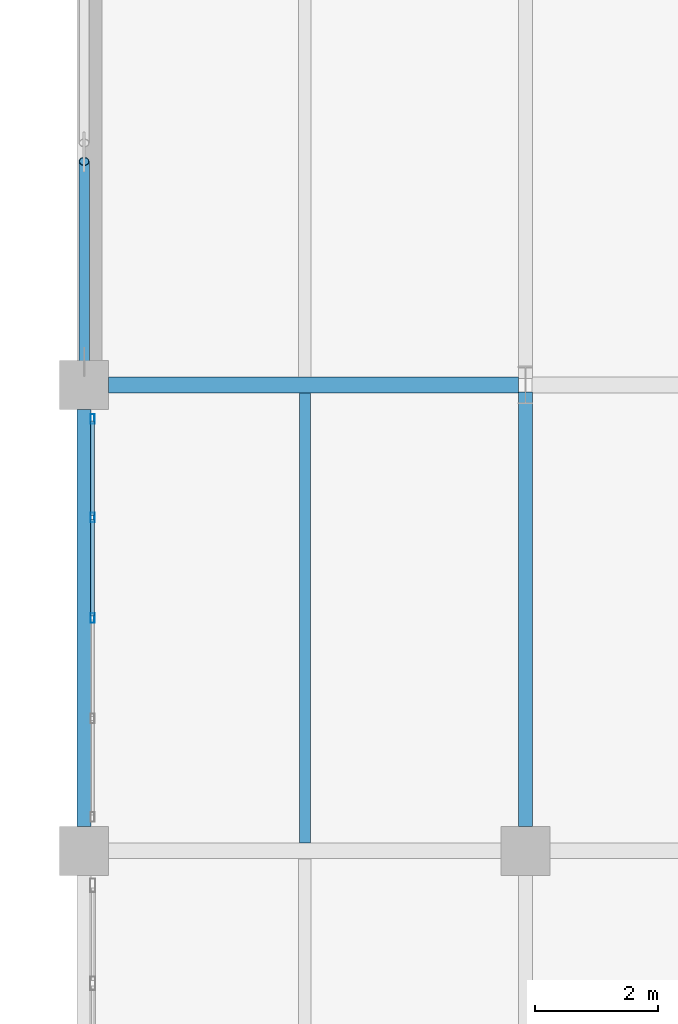
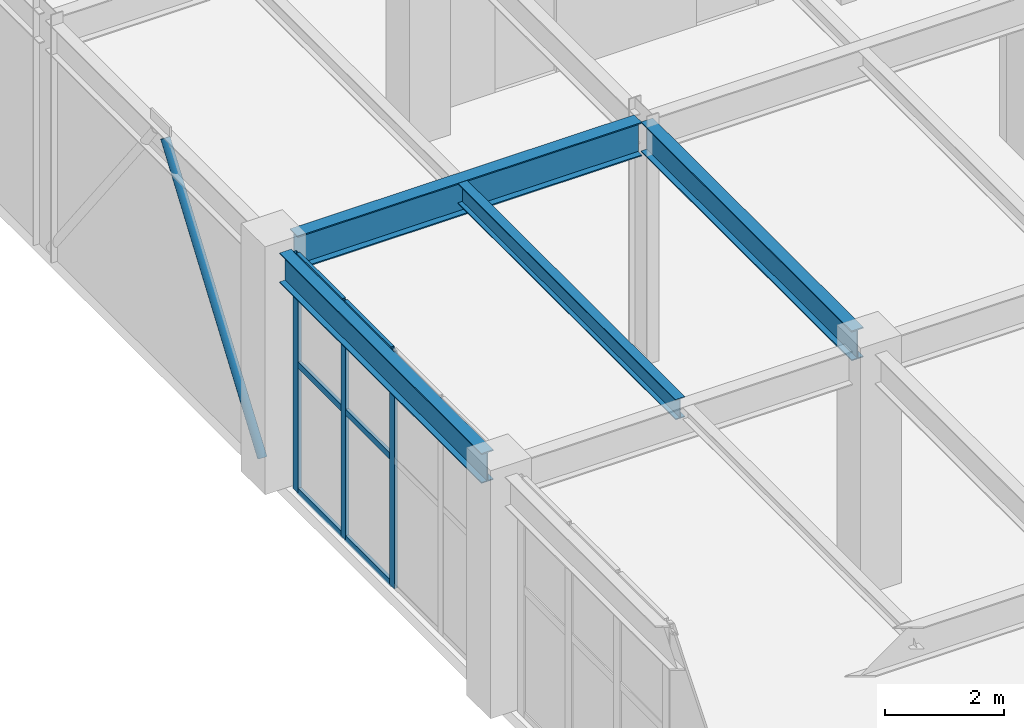
# One storey, part 21 of 128: 10 members, 4 beams, 1 element without a shape of its own.
"""IFC4 building model written with IfcOpenShell, lengths in metres."""

from ifc_helpers import new_model, si_unit, direction, frame, origin, origin_2d, place, context, subcontext, project, spatial, hollow_rectangle, hollow_circle, i_section, extrude, material, layer, layer_set, material_profile, profile_set, type_object, element, aggregate, save


model = new_model("IFC4")

# Units and contexts
model_context = context("Model", 3, precision=1e-05, world=origin(), true_north=direction((0.0, 1.0)))
body_context = subcontext(model_context, "Body", "Model", "MODEL_VIEW")
ifc_project = project(units=[si_unit("LENGTHUNIT", "METRE"), si_unit("AREAUNIT", "SQUARE_METRE"), si_unit("VOLUMEUNIT", "CUBIC_METRE"), si_unit("PLANEANGLEUNIT", "RADIAN"), si_unit("MASSUNIT", "GRAM", prefix="KILO")], contexts=[model_context])

# Site, building, storey
site_placement = place(None, origin())
site = spatial("IfcSite", under=ifc_project, at=site_placement, CompositionType="ELEMENT")
building_placement = place(site_placement, origin())
building = spatial("IfcBuilding", under=site, at=building_placement, Name="Xicomal Pleat Aquarium", CompositionType="ELEMENT")
storey_placement = place(building_placement, frame((0.0, 0.0, 5.39990234375)))
storey = spatial("IfcBuildingStorey", under=building, at=storey_placement, Name="L02", CompositionType="ELEMENT", Elevation=5.39990234375)

# Beams
ifc_material_1 = material(Name="Structural steel A992 Gr 50", Category="steel")
ifc_material_profile_1 = material_profile(ifc_material_1, i_section(OverallWidth=0.180908203125, OverallDepth=0.4169921875, WebThickness=0.010986328125, FlangeThickness=0.018310546875, at=origin_2d()), Name="IR 410x85")
ifc_profile_set_1 = profile_set([ifc_material_profile_1], Name="Structural steel A992 Gr 50")
beam_type_1 = type_object("IfcBeamType", Name="BM-STL-IR410", PredefinedType="JOIST", material=ifc_profile_set_1)
beam_1_placement = place(storey_placement, frame((6.60009765625, 45.73095703125, 4.66650390625), z_axis=(0.0, 1.0, 0.0), x_axis=(-1.0, 0.0, 0.0)))
element("IfcBeam", 1, at=beam_1_placement, inside=storey, type_object=beam_type_1, Name="L02 framing beam FBJ-L02-01-G-1", PredefinedType="JOIST", context=body_context, shape_type="SweptSolid", body=[
    extrude(i_section(OverallWidth=0.180908203125, OverallDepth=0.4169921875, WebThickness=0.010986328125, FlangeThickness=0.018310546875, at=origin_2d()), origin(), (0.0, 0.0, 1.0), 7.338134765625),
])
ifc_material_2 = material(Name="Structural steel A992 Gr 50", Category="steel")
ifc_material_profile_2 = material_profile(ifc_material_2, i_section(OverallWidth=0.22998046875, OverallDepth=0.616943359375, WebThickness=0.01318359375, FlangeThickness=0.022216796875, at=origin_2d()), Name="IR 610x140")
ifc_profile_set_2 = profile_set([ifc_material_profile_2], Name="Structural steel A992 Gr 50")
beam_type_2 = type_object("IfcBeamType", Name="BM-STL-IR610", PredefinedType="BEAM", material=ifc_profile_set_2)
beam_2_placement = place(storey_placement, frame((3.0, 45.9951171875, 4.566650390625), z_axis=(0.0, 1.0, 0.0), x_axis=(-1.0, 0.0, 0.0)))
element("IfcBeam", 2, at=beam_2_placement, inside=storey, type_object=beam_type_2, Name="L02 framing beam FGY-L02-01-G-H", PredefinedType="BEAM", context=body_context, shape_type="SweptSolid", body=[
    extrude(i_section(OverallWidth=0.22998046875, OverallDepth=0.616943359375, WebThickness=0.01318359375, FlangeThickness=0.022216796875, at=origin_2d()), origin(), (0.0, 0.0, 1.0), 6.809814453125),
])
beam_3_placement = place(storey_placement, frame((10.199951171875, 45.9951171875, 4.566650390625), z_axis=(0.0, 1.0, 0.0), x_axis=(-1.0, 0.0, 0.0)))
element("IfcBeam", 3, at=beam_3_placement, inside=storey, type_object=beam_type_2, Name="L02 framing beam FGY-L02-02-G-H", PredefinedType="BEAM", context=body_context, shape_type="SweptSolid", body=[
    extrude(i_section(OverallWidth=0.22998046875, OverallDepth=0.616943359375, WebThickness=0.01318359375, FlangeThickness=0.022216796875, at=origin_2d()), origin(), (0.0, 0.0, 1.0), 7.094970703125),
])
ifc_material_3 = material(Name="Structural steel A992 Gr 50", Category="steel")
ifc_material_profile_3 = material_profile(ifc_material_3, i_section(OverallWidth=0.256103515625, OverallDepth=0.693115234375, WebThickness=0.014404296875, FlangeThickness=0.023681640625, at=origin_2d()), Name="IR 690x170")
ifc_profile_set_3 = profile_set([ifc_material_profile_3], Name="Structural steel A992 Gr 50")
beam_type_3 = type_object("IfcBeamType", Name="BM-STL-IR690", PredefinedType="BEAM", material=ifc_profile_set_3)
beam_4_placement = place(storey_placement, frame((3.39501953125, 53.199951171875, 4.528564453125), z_axis=(1.0, 0.0, 0.0), x_axis=(0.0, 1.0, 0.0)))
element("IfcBeam", 4, at=beam_4_placement, inside=storey, type_object=beam_type_3, Name="L02 framing beam FGX-L02-01-02-H", PredefinedType="BEAM", context=body_context, shape_type="SweptSolid", body=[
    extrude(i_section(OverallWidth=0.256103515625, OverallDepth=0.693115234375, WebThickness=0.014404296875, FlangeThickness=0.023681640625, at=origin_2d()), origin(), (0.0, 0.0, 1.0), 6.695068359375),
])

# Curtain wall, members
ifc_material_4 = material(Name="Bronze anodized aluminium 6063-T6", Category="aluminium")
ifc_layer = layer(ifc_material_4, 0.159912109375)
ifc_layer_set = layer_set([ifc_layer], Name="Bronze anodized aluminium 6063-T6")
curtain_wall_type = type_object("IfcCurtainWallType", Name="CW-SYS-02", PredefinedType="NOTDEFINED", material=ifc_layer_set)
curtain_wall_placement = place(storey_placement, origin())
curtain_wall = element("IfcCurtainWall", 5, at=curtain_wall_placement, inside=storey, type_object=curtain_wall_type, Name="L02 unitised curtain wall CW-L02-123", PredefinedType="NOTDEFINED")
ifc_material_5 = material(Name="Bronze anodized aluminium 6063-T6", Category="aluminium")
ifc_material_profile_4 = material_profile(ifc_material_5, hollow_rectangle(XDim=0.06494140625, YDim=0.159912109375, WallThickness=0.00390625, at=origin_2d()), Name="ALU MULL 65x160")
ifc_profile_set_4 = profile_set([ifc_material_profile_4], Name="Bronze anodized aluminium 6063-T6")
member_type_1 = type_object("IfcMemberType", Name="CWM-65x160", PredefinedType="MULLION", material=ifc_profile_set_4)
member_1_placement = place(storey_placement, frame((3.139892578125, 49.39990234375, 0.0), z_axis=(0.0, 0.0, 1.0), x_axis=(-1.0, 0.0, 0.0)))
member_1 = element("IfcMember", 6, at=member_1_placement, type_object=member_type_1, Name="CW-02 mullion 3", PredefinedType="MULLION", context=body_context, shape_type="SweptSolid", body=[
    extrude(hollow_rectangle(XDim=0.06494140625, YDim=0.159912109375, WallThickness=0.00390625, at=origin_2d()), origin(), (0.0, 0.0, 1.0), 4.875),
])
member_2_placement = place(storey_placement, frame((3.139892578125, 51.0400390625, 0.0), z_axis=(0.0, 0.0, 1.0), x_axis=(-1.0, 0.0, 0.0)))
member_2 = element("IfcMember", 7, at=member_2_placement, type_object=member_type_1, Name="CW-02 mullion 4", PredefinedType="MULLION", context=body_context, shape_type="SweptSolid", body=[
    extrude(hollow_rectangle(XDim=0.06494140625, YDim=0.159912109375, WallThickness=0.00390625, at=origin_2d()), origin(), (0.0, 0.0, 1.0), 4.875),
])
member_3_placement = place(storey_placement, frame((3.139892578125, 52.6474609375, 0.0), z_axis=(0.0, 0.0, 1.0), x_axis=(-1.0, 0.0, 0.0)))
member_3 = element("IfcMember", 8, at=member_3_placement, type_object=member_type_1, Name="CW-02 mullion 5", PredefinedType="MULLION", context=body_context, shape_type="SweptSolid", body=[
    extrude(hollow_rectangle(XDim=0.06494140625, YDim=0.159912109375, WallThickness=0.00390625, at=origin_2d()), origin(), (0.0, 0.0, 1.0), 4.875),
])
ifc_material_6 = material(Name="Bronze anodized aluminium 6063-T6", Category="aluminium")
ifc_material_profile_5 = material_profile(ifc_material_6, hollow_rectangle(XDim=0.06494140625, YDim=0.1298828125, WallThickness=0.00390625, at=origin_2d()), Name="ALU TRAN 65x130")
ifc_profile_set_5 = profile_set([ifc_material_profile_5], Name="Bronze anodized aluminium 6063-T6")
member_type_2 = type_object("IfcMemberType", Name="CWT-65x130", PredefinedType="USERDEFINED", material=ifc_profile_set_5)
member_4_placement = place(storey_placement, frame((3.139892578125, 49.4326171875, 0.03271484375), z_axis=(0.0, 1.0, 0.0), x_axis=(-1.0, 0.0, 0.0)))
member_4 = element("IfcMember", 9, at=member_4_placement, type_object=member_type_2, Name="CW-02 transom 3.1", ObjectType="TRANSOM", PredefinedType="USERDEFINED", context=body_context, shape_type="SweptSolid", body=[
    extrude(hollow_rectangle(XDim=0.06494140625, YDim=0.1298828125, WallThickness=0.00390625, at=origin_2d()), origin(), (0.0, 0.0, 1.0), 1.574951171875),
])
member_5_placement = place(storey_placement, frame((3.139892578125, 49.4326171875, 2.633056640625), z_axis=(0.0, 1.0, 0.0), x_axis=(-1.0, 0.0, 0.0)))
member_5 = element("IfcMember", 10, at=member_5_placement, type_object=member_type_2, Name="CW-02 transom 3.2", ObjectType="TRANSOM", PredefinedType="USERDEFINED", context=body_context, shape_type="SweptSolid", body=[
    extrude(hollow_rectangle(XDim=0.06494140625, YDim=0.1298828125, WallThickness=0.00390625, at=origin_2d()), origin(), (0.0, 0.0, 1.0), 1.574951171875),
])
member_6_placement = place(storey_placement, frame((3.139892578125, 49.4326171875, 4.842529296875), z_axis=(0.0, 1.0, 0.0), x_axis=(-1.0, 0.0, 0.0)))
member_6 = element("IfcMember", 11, at=member_6_placement, type_object=member_type_2, Name="CW-02 transom 3.3", ObjectType="TRANSOM", PredefinedType="USERDEFINED", context=body_context, shape_type="SweptSolid", body=[
    extrude(hollow_rectangle(XDim=0.06494140625, YDim=0.1298828125, WallThickness=0.00390625, at=origin_2d()), origin(), (0.0, 0.0, 1.0), 1.574951171875),
])
member_7_placement = place(storey_placement, frame((3.139892578125, 51.072509765625, 0.03271484375), z_axis=(0.0, 1.0, 0.0), x_axis=(-1.0, 0.0, 0.0)))
member_7 = element("IfcMember", 12, at=member_7_placement, type_object=member_type_2, Name="CW-02 transom 4.1", ObjectType="TRANSOM", PredefinedType="USERDEFINED", context=body_context, shape_type="SweptSolid", body=[
    extrude(hollow_rectangle(XDim=0.06494140625, YDim=0.1298828125, WallThickness=0.00390625, at=origin_2d()), origin(), (0.0, 0.0, 1.0), 1.54248046875),
])
member_8_placement = place(storey_placement, frame((3.139892578125, 51.072509765625, 2.633056640625), z_axis=(0.0, 1.0, 0.0), x_axis=(-1.0, 0.0, 0.0)))
member_8 = element("IfcMember", 13, at=member_8_placement, type_object=member_type_2, Name="CW-02 transom 4.2", ObjectType="TRANSOM", PredefinedType="USERDEFINED", context=body_context, shape_type="SweptSolid", body=[
    extrude(hollow_rectangle(XDim=0.06494140625, YDim=0.1298828125, WallThickness=0.00390625, at=origin_2d()), origin(), (0.0, 0.0, 1.0), 1.54248046875),
])
member_9_placement = place(storey_placement, frame((3.139892578125, 51.072509765625, 4.842529296875), z_axis=(0.0, 1.0, 0.0), x_axis=(-1.0, 0.0, 0.0)))
member_9 = element("IfcMember", 14, at=member_9_placement, type_object=member_type_2, Name="CW-02 transom 4.3", ObjectType="TRANSOM", PredefinedType="USERDEFINED", context=body_context, shape_type="SweptSolid", body=[
    extrude(hollow_rectangle(XDim=0.06494140625, YDim=0.1298828125, WallThickness=0.00390625, at=origin_2d()), origin(), (0.0, 0.0, 1.0), 1.54248046875),
])
aggregate(curtain_wall, [member_1, member_2, member_3, member_4, member_5, member_6, member_7, member_8, member_9])

# Member
ifc_material_7 = material(Name="Structural steel A500 Gr C", Category="steel")
ifc_material_profile_6 = material_profile(ifc_material_7, hollow_circle(Radius=0.083984375, WallThickness=0.010009765625, at=origin_2d()), Name="OC 168x10")
ifc_profile_set_6 = profile_set([ifc_material_profile_6], Name="Structural steel A500 Gr C")
member_type_3 = type_object("IfcMemberType", Name="MEM-BR-OC168", PredefinedType="BRACE", material=ifc_profile_set_6)
member_10_placement = place(storey_placement, frame((3.0, 53.580078125, 0.150146484375), z_axis=(0.0, 0.579407582013, 0.815037946298), x_axis=(-1.0, 0.0, 0.0)))
element("IfcMember", 15, at=member_10_placement, inside=storey, type_object=member_type_3, Name="L02 chevron brace 8A", PredefinedType="BRACE", context=body_context, shape_type="SweptSolid", body=[
    extrude(hollow_circle(Radius=0.083984375, WallThickness=0.010009765625, at=origin_2d()), origin(), (0.0, 0.0, 1.0), 5.643798828125),
])

save(model, "model.ifc")
